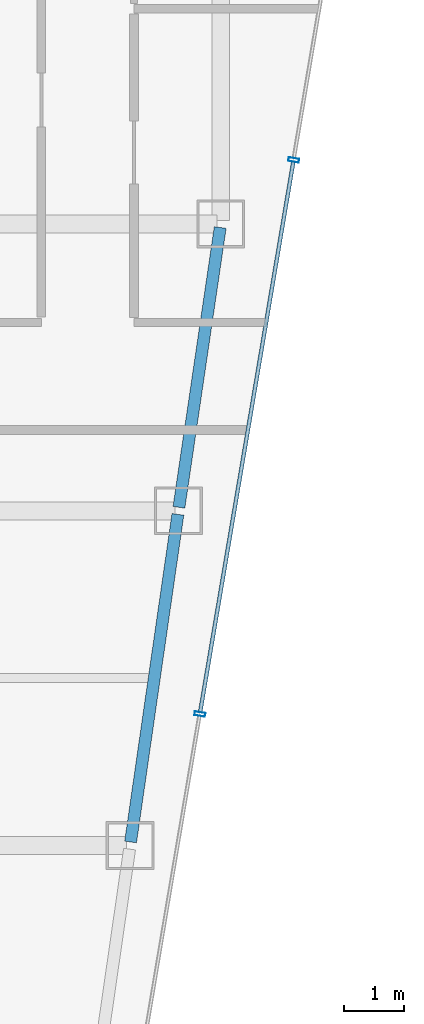
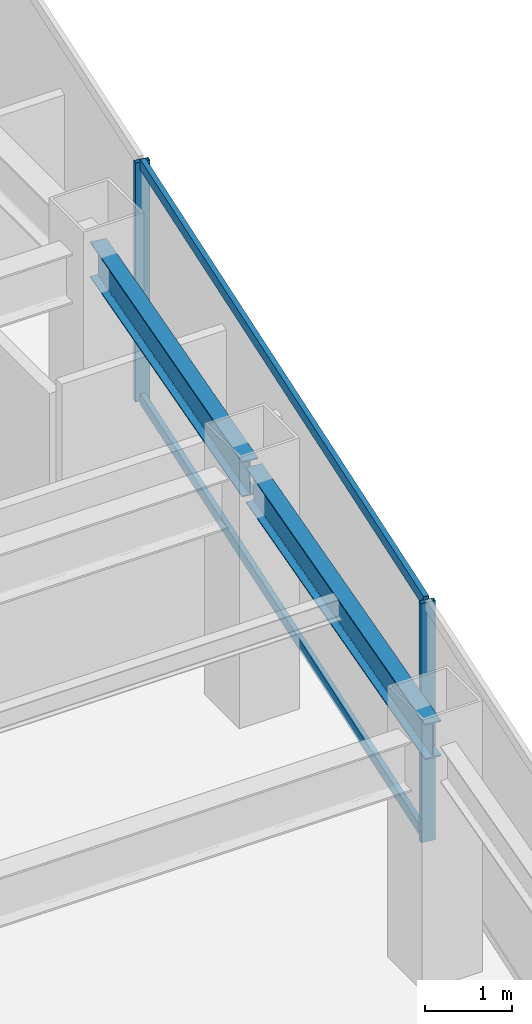
# One storey, part 20 of 34: 4 members, 2 beams, 1 element without a shape of its own.
"""IFC4 building model written with IfcOpenShell, lengths in metres."""

import ifcopenshell
import ifcopenshell.guid

model = None  # the IFC model being written
_history = None  # IfcOwnerHistory: only IFC2X3 demands one
_inside = {}  # id of a spatial element -> (the spatial element, [elements in it])
_under = {}  # id of a project, library or spatial element -> (it, [spatial elements below it])
_declared = {}  # id of a project -> (the project, [libraries it declares])
_typed = {}  # id of a type object -> (the type object, [elements of that type])
_made_of = {}  # id of a material, layer set ... -> (it, [elements and type objects made of it])


def new_model(schema):
    """Start an empty IFC model of exactly this schema.

    Asked for "IFC4X3", IfcOpenShell would pick the latest addendum, in which some entities
    have other attributes; the version numbers below select the first issue.
    IFC2X3 requires an IfcOwnerHistory on every rooted entity: one is made here for all.
    """
    global model, _history
    if schema == "IFC4X3":
        model = ifcopenshell.file(schema_version=(4, 3, 0, 0))
    else:
        model = ifcopenshell.file(schema=schema)
    _inside.clear()
    _under.clear()
    _declared.clear()
    _typed.clear()
    _made_of.clear()
    _history = None
    if model.schema == "IFC2X3":
        org = make("IfcOrganization", Name="unknown")
        user = make(
            "IfcPersonAndOrganization",
            ThePerson=make("IfcPerson", FamilyName="unknown"),
            TheOrganization=org,
        )
        app = make(
            "IfcApplication",
            ApplicationDeveloper=org,
            Version="unknown",
            ApplicationFullName="unknown",
            ApplicationIdentifier="unknown",
        )
        _history = make(
            "IfcOwnerHistory",
            OwningUser=user,
            OwningApplication=app,
            ChangeAction="ADDED",
            CreationDate=0,
        )
    return model


def make(cls, **values):
    """One entity of the class cls with the attributes given. An attribute that is None is left unset."""
    return model.create_entity(
        cls, **{name: value for name, value in values.items() if value is not None}
    )


def rooted(cls, **values):
    """An entity with a GlobalId (a new one), such as an element, a storey or a relation."""
    return make(cls, GlobalId=ifcopenshell.guid.new(), OwnerHistory=_history, **values)


def si_unit(unit_type, name, prefix=None):
    """IfcSIUnit, for example si_unit("LENGTHUNIT", "METRE", prefix="MILLI")."""
    return make("IfcSIUnit", UnitType=unit_type, Prefix=prefix, Name=name)


def assignment(units):
    """IfcUnitAssignment: the units of a project."""
    return None if units is None else make("IfcUnitAssignment", Units=units)


def point(xyz):
    """IfcCartesianPoint."""
    return None if xyz is None else make("IfcCartesianPoint", Coordinates=xyz)


def direction(xyz):
    """IfcDirection."""
    return None if xyz is None else make("IfcDirection", DirectionRatios=xyz)


def frame(location, z_axis=None, x_axis=None):
    """IfcAxis2Placement3D, a coordinate frame: its origin and axes. An axis left out is left unset."""
    return make(
        "IfcAxis2Placement3D",
        Location=point(location),
        Axis=direction(z_axis),
        RefDirection=direction(x_axis),
    )


def frame_2d(location, x_axis=None):
    """IfcAxis2Placement2D, a coordinate frame in the plane: its origin and x axis."""
    return make(
        "IfcAxis2Placement2D", Location=point(location), RefDirection=direction(x_axis)
    )


def origin():
    """The frame at (0, 0, 0) with its axes left unset."""
    return frame((0.0, 0.0, 0.0))


def origin_2d():
    """The frame at (0, 0) in the plane with its x axis left unset."""
    return frame_2d((0.0, 0.0))


def place(relative_to, where):
    """IfcLocalPlacement: puts the frame where relative to a parent placement (None: the world)."""
    return make(
        "IfcLocalPlacement", PlacementRelTo=relative_to, RelativePlacement=where
    )


def context(
    kind, dimensions, precision=None, world=None, true_north=None, identifier=None
):
    """IfcGeometricRepresentationContext, for example the 3D "Model" context."""
    return make(
        "IfcGeometricRepresentationContext",
        ContextIdentifier=identifier,
        ContextType=kind,
        CoordinateSpaceDimension=dimensions,
        Precision=precision,
        WorldCoordinateSystem=world,
        TrueNorth=true_north,
    )


def subcontext(parent, identifier, kind, view, scale=None):
    """IfcGeometricRepresentationSubContext, for example "Body" below "Model"."""
    return make(
        "IfcGeometricRepresentationSubContext",
        ContextIdentifier=identifier,
        ContextType=kind,
        ParentContext=parent,
        TargetScale=scale,
        TargetView=view,
    )


def project(units=None, contexts=None):
    """IfcProject with its units and contexts."""
    return rooted(
        "IfcProject",
        Name="project",
        RepresentationContexts=contexts,
        UnitsInContext=assignment(units),
    )


def spatial(cls, under=None, at=None, **own):
    """A site, building, storey or space (cls), placed at a placement, below another one or the project."""
    s = rooted(cls, ObjectPlacement=at, **own)
    if under is not None:
        _under.setdefault(under.id(), (under, []))[1].append(s)
    return s


def profile(cls, at=None, kind="AREA", **sizes):
    """A parametric profile (cls). Its sizes go by their IFC names, for example OverallWidth=200.0."""
    return make(cls, ProfileType=kind, Position=at, **sizes)


def hollow_rectangle(**sizes):
    """IfcRectangleHollowProfileDef."""
    return profile("IfcRectangleHollowProfileDef", **sizes)


def i_section(**sizes):
    """IfcIShapeProfileDef."""
    return profile("IfcIShapeProfileDef", **sizes)


def extrude(swept, where, along, depth):
    """IfcExtrudedAreaSolid: the profile swept, set in the frame where, extruded along a direction by depth."""
    return make(
        "IfcExtrudedAreaSolid",
        SweptArea=swept,
        Position=where,
        ExtrudedDirection=direction(along),
        Depth=depth,
    )


def shape(context_of_items, identifier, shape_type, items):
    """IfcShapeRepresentation: the items that make up one representation, for example the "Body"."""
    return make(
        "IfcShapeRepresentation",
        ContextOfItems=context_of_items,
        RepresentationIdentifier=identifier,
        RepresentationType=shape_type,
        Items=items,
    )


def material(Name=None, Category=None):
    """IfcMaterial."""
    return make("IfcMaterial", Name=Name, Category=Category)


def material_profile(
    of_material, cross_section, Name=None, Category=None, Priority=None
):
    """IfcMaterialProfile: a cross section and its material."""
    return make(
        "IfcMaterialProfile",
        Name=Name,
        Material=of_material,
        Profile=cross_section,
        Priority=Priority,
        Category=Category,
    )


def profile_set(profiles, Name=None, composite=None):
    """IfcMaterialProfileSet."""
    return make(
        "IfcMaterialProfileSet",
        Name=Name,
        MaterialProfiles=profiles,
        CompositeProfile=composite,
    )


def made_of(thing, what):
    """Note that an element or type object is made of a material, layer set ...; save() writes the relation."""
    if what is not None:
        _made_of.setdefault(what.id(), (what, []))[1].append(thing)
    return thing


def type_object(cls, material=None, **own):
    """A type object (cls), such as IfcWallType, which elements share."""
    return made_of(rooted(cls, **own), material)


def element(
    cls,
    number,
    at=None,
    inside=None,
    cuts=None,
    type_object=None,
    material=None,
    context=None,
    identifier="Body",
    shape_type=None,
    held_by="IfcProductDefinitionShape",
    body=None,
    shapes=None,
    **own,
):
    """One element of the class cls, such as IfcWall. Its Tag is "e" and its number.

    at: its placement. inside: the storey or other place that contains it. cuts: it is an
    opening in that element (IfcRelVoidsElement). A single representation is given by context,
    identifier, shape_type and body (its items); several are given by shapes. held_by: the class
    of the entity that holds the representations. save() writes the other relations.
    """
    e = rooted(cls, Tag="e%d" % number, ObjectPlacement=at, **own)
    if body is not None:
        shapes = [shape(context, identifier, shape_type, body)]
    if shapes is not None:
        e.Representation = make(held_by, Representations=shapes)
    if inside is not None:
        _inside.setdefault(inside.id(), (inside, []))[1].append(e)
    if cuts is not None:
        rooted(
            "IfcRelVoidsElement", RelatingBuildingElement=cuts, RelatedOpeningElement=e
        )
    if type_object is not None:
        _typed.setdefault(type_object.id(), (type_object, []))[1].append(e)
    return made_of(e, material)


def aggregate(whole, parts):
    """IfcRelAggregates: a whole, such as a stair, and the parts it consists of."""
    return rooted("IfcRelAggregates", RelatingObject=whole, RelatedObjects=parts)


def save(model, path):
    """Write the relations noted so far, then the file.

    IfcRelAggregates (storeys below a building ...), IfcRelContainedInSpatialStructure (elements
    in a storey), IfcRelDefinesByType, IfcRelAssociatesMaterial and IfcRelDeclares: one each for
    every whole, place, type object, material and project.
    """
    for whole, parts in _under.values():
        aggregate(whole, parts)
    for where, things in _inside.values():
        rooted(
            "IfcRelContainedInSpatialStructure",
            RelatedElements=things,
            RelatingStructure=where,
        )
    for kind, things in _typed.values():
        rooted("IfcRelDefinesByType", RelatedObjects=things, RelatingType=kind)
    for what, things in _made_of.values():
        rooted("IfcRelAssociatesMaterial", RelatedObjects=things, RelatingMaterial=what)
    for by, libraries in _declared.values():
        rooted("IfcRelDeclares", RelatingContext=by, RelatedDefinitions=libraries)
    model.write(path)


model = new_model("IFC4")

# Units and contexts
model_context = context("Model", 3, precision=1e-05, world=origin(), true_north=direction((0.0, 1.0)))
body_context = subcontext(model_context, "Body", "Model", "MODEL_VIEW")
ifc_project = project(units=[si_unit("LENGTHUNIT", "METRE"), si_unit("AREAUNIT", "SQUARE_METRE"), si_unit("VOLUMEUNIT", "CUBIC_METRE"), si_unit("PLANEANGLEUNIT", "RADIAN"), si_unit("MASSUNIT", "GRAM", prefix="KILO")], contexts=[model_context])

# Site, building, storey
site_placement = place(None, origin())
site = spatial("IfcSite", under=ifc_project, at=site_placement, CompositionType="ELEMENT")
building_placement = place(site_placement, origin())
building = spatial("IfcBuilding", under=site, at=building_placement, Name="Saevonmaru Cultural Tower", CompositionType="ELEMENT")
storey_placement = place(building_placement, frame((0.0, 0.0, 220.800048828125)))
storey = spatial("IfcBuildingStorey", under=building, at=storey_placement, Name="L51", CompositionType="ELEMENT", Elevation=220.800048828125)

# Beams
ifc_material_1 = material(Name="Steel SM355", Category="steel")
ifc_material_profile_1 = material_profile(ifc_material_1, i_section(OverallWidth=0.199951171875, OverallDepth=0.5, WebThickness=0.010009765625, FlangeThickness=0.01611328125, FilletRadius=0.02001953125, at=origin_2d()), Name="H-500x200x10x16")
ifc_profile_set_1 = profile_set([ifc_material_profile_1], Name="Steel SM355")
beam_type = type_object("IfcBeamType", Name="BM-SP-H500", PredefinedType="SPANDREL", material=ifc_profile_set_1)
beam_1_placement = place(storey_placement, frame((51.691650390625, 32.059326171875, 3.099853515625), z_axis=(0.142964121327, 0.989727871697, 0.0), x_axis=(-0.989727871697, 0.142964121327, 0.0)))
element("IfcBeam", 1, at=beam_1_placement, inside=storey, type_object=beam_type, Name="L51 East Splayed Spandrel 3", PredefinedType="SPANDREL", context=body_context, shape_type="SweptSolid", body=[
    extrude(i_section(OverallWidth=0.199951171875, OverallDepth=0.5, WebThickness=0.010009765625, FlangeThickness=0.01611328125, FilletRadius=0.02001953125, at=origin_2d()), origin(), (0.0, 0.0, 1.0), 5.5380859375),
])
beam_2_placement = place(storey_placement, frame((52.500732421875, 37.659423828125, 3.099853515625), z_axis=(0.145912860028, 0.989297446312, 0.0), x_axis=(-0.989297446312, 0.145912860028, 0.0)))
element("IfcBeam", 2, at=beam_2_placement, inside=storey, type_object=beam_type, Name="L51 East Splayed Spandrel 4", PredefinedType="SPANDREL", context=body_context, shape_type="SweptSolid", body=[
    extrude(i_section(OverallWidth=0.199951171875, OverallDepth=0.5, WebThickness=0.010009765625, FlangeThickness=0.01611328125, FilletRadius=0.02001953125, at=origin_2d()), origin(), (0.0, 0.0, 1.0), 4.731689453125),
])

# Curtain wall, members
ifc_material_2 = material(Name="Satin Bronze Anodised Aluminium", Category="aluminium")
curtain_wall_type = type_object("IfcCurtainWallType", Name="CW-TYP-B", PredefinedType="NOTDEFINED", material=ifc_material_2)
curtain_wall_placement = place(storey_placement, origin())
curtain_wall = element("IfcCurtainWall", 3, at=curtain_wall_placement, inside=storey, type_object=curtain_wall_type, Name="L51 Unitised Curtain Wall E8", PredefinedType="NOTDEFINED")
ifc_material_profile_2 = material_profile(ifc_material_2, hollow_rectangle(XDim=0.06494140625, YDim=0.179931640625, WallThickness=0.00390625, at=origin_2d()), Name="ALU-MULL-180x65x4")
ifc_profile_set_2 = profile_set([ifc_material_profile_2], Name="Satin Bronze Anodised Aluminium")
member_type_1 = type_object("IfcMemberType", Name="ML-CW-180x65", PredefinedType="MULLION", material=ifc_profile_set_2)
member_1_placement = place(storey_placement, frame((52.85107421875, 34.199951171875, 0.0), z_axis=(0.0, 0.0, 1.0), x_axis=(0.16692169721, 0.985970155228, 0.0)))
member_1 = element("IfcMember", 4, at=member_1_placement, type_object=member_type_1, Name="CW-TW-L51-E8 mullion 3", PredefinedType="MULLION", context=body_context, shape_type="SweptSolid", body=[
    extrude(hollow_rectangle(XDim=0.06494140625, YDim=0.179931640625, WallThickness=0.00390625, at=origin_2d()), origin(), (0.0, 0.0, 1.0), 3.349853515625),
])
member_2_placement = place(storey_placement, frame((54.420654296875, 43.470458984375, 0.0), z_axis=(0.0, 0.0, 1.0), x_axis=(0.16692169721, 0.985970155228, 0.0)))
member_2 = element("IfcMember", 5, at=member_2_placement, type_object=member_type_1, Name="CW-TW-L51-E8 mullion 4", PredefinedType="MULLION", context=body_context, shape_type="SweptSolid", body=[
    extrude(hollow_rectangle(XDim=0.06494140625, YDim=0.179931640625, WallThickness=0.00390625, at=origin_2d()), origin(), (0.0, 0.0, 1.0), 3.349853515625),
])
ifc_material_profile_3 = material_profile(ifc_material_2, hollow_rectangle(XDim=0.06494140625, YDim=0.14990234375, WallThickness=0.00390625, at=origin_2d()), Name="ALU-TRAN-150x65x4")
ifc_profile_set_3 = profile_set([ifc_material_profile_3], Name="Satin Bronze Anodised Aluminium")
member_type_2 = type_object("IfcMemberType", Name="TR-CW-150x65", PredefinedType="USERDEFINED", material=ifc_profile_set_3)
member_3_placement = place(storey_placement, frame((52.8564453125, 34.23193359375, 0.032470703125), z_axis=(0.166916960754, 0.985970957084, 0.0), x_axis=(-0.985970957084, 0.166916960754, 0.0)))
member_3 = element("IfcMember", 6, at=member_3_placement, type_object=member_type_2, Name="CW-TW-L51-E8 transom 3.1", ObjectType="TRANSOM", PredefinedType="USERDEFINED", context=body_context, shape_type="SweptSolid", body=[
    extrude(hollow_rectangle(XDim=0.06494140625, YDim=0.14990234375, WallThickness=0.00390625, at=origin_2d()), origin(), (0.0, 0.0, 1.0), 9.337646484375),
])
member_4_placement = place(storey_placement, frame((52.8564453125, 34.23193359375, 3.3173828125), z_axis=(0.166916960754, 0.985970957084, 0.0), x_axis=(-0.985970957084, 0.166916960754, 0.0)))
member_4 = element("IfcMember", 7, at=member_4_placement, type_object=member_type_2, Name="CW-TW-L51-E8 transom 3.2", ObjectType="TRANSOM", PredefinedType="USERDEFINED", context=body_context, shape_type="SweptSolid", body=[
    extrude(hollow_rectangle(XDim=0.06494140625, YDim=0.14990234375, WallThickness=0.00390625, at=origin_2d()), origin(), (0.0, 0.0, 1.0), 9.337646484375),
])
aggregate(curtain_wall, [member_1, member_2, member_3, member_4])

save(model, "model.ifc")
